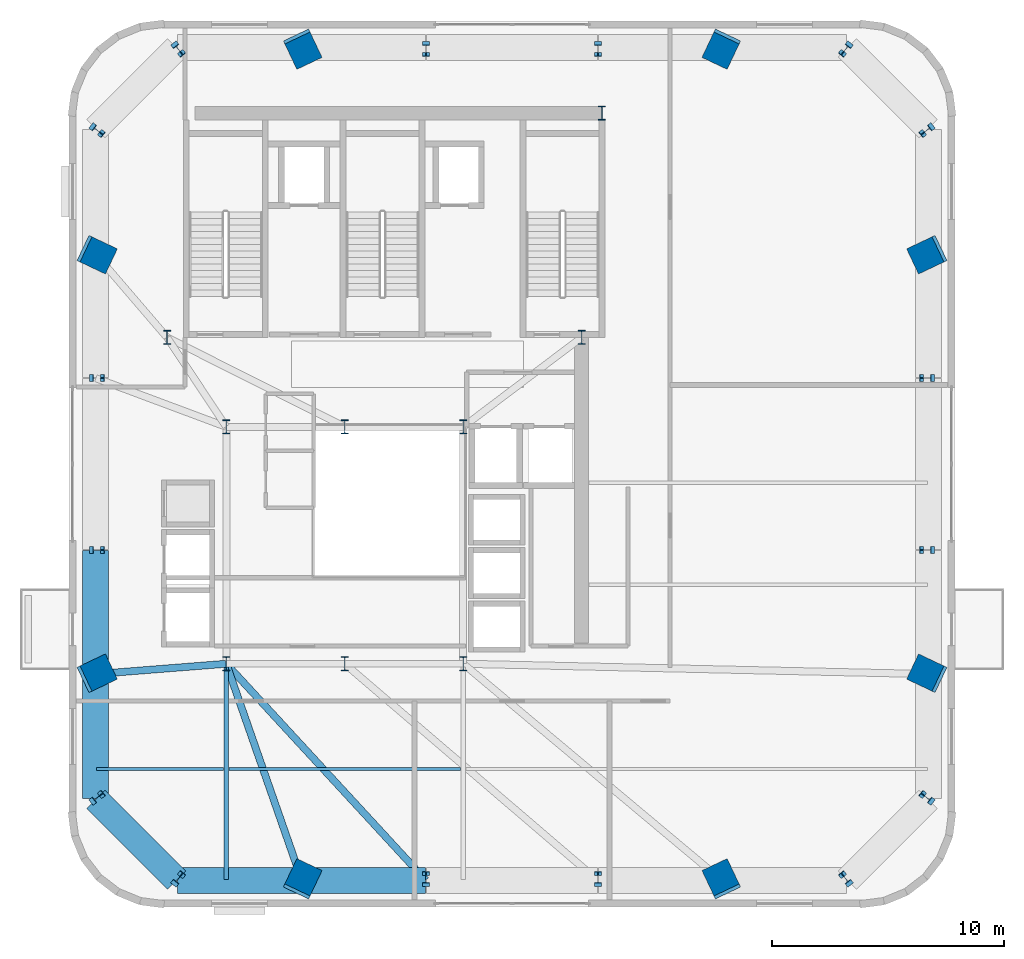
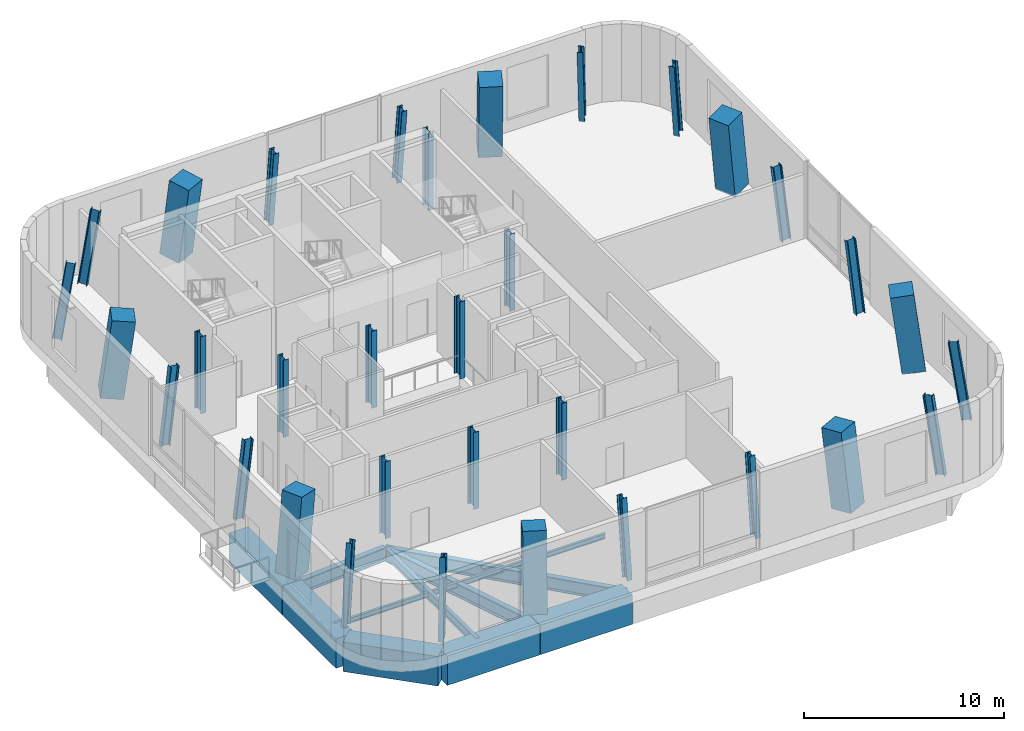
# One storey, part 1 of 11: 33 columns, 11 beams.
"""IFC4 building model written with IfcOpenShell, lengths in metres."""

from ifc_helpers import new_model, si_unit, direction, frame, origin, origin_2d, place, context, subcontext, project, spatial, rectangle, i_section, extrude, source, transform, mapped, material, material_profile, profile_set, type_object, element, save


model = new_model("IFC4")

# Units and contexts
model_context = context("Model", 3, precision=1e-05, world=origin(), true_north=direction((0.0, 1.0)))
body_context = subcontext(model_context, "Body", "Model", "MODEL_VIEW")
ifc_project = project(units=[si_unit("LENGTHUNIT", "METRE"), si_unit("AREAUNIT", "SQUARE_METRE"), si_unit("VOLUMEUNIT", "CUBIC_METRE"), si_unit("PLANEANGLEUNIT", "RADIAN"), si_unit("MASSUNIT", "GRAM", prefix="KILO")], contexts=[model_context])

# Site, building, storey
site_placement = place(None, origin())
site = spatial("IfcSite", under=ifc_project, at=site_placement, CompositionType="ELEMENT")
building_placement = place(site_placement, origin())
building = spatial("IfcBuilding", under=site, at=building_placement, Name="Vardaveli Station Tower", CompositionType="ELEMENT")
storey_placement = place(building_placement, frame((0.0, 0.0, 286.14990234375)))
storey = spatial("IfcBuildingStorey", under=building, at=storey_placement, Name="L73", CompositionType="ELEMENT", Elevation=286.14990234375)

# Columns
ifc_material_1 = material(Name="Structural steel S460M", Category="steel")
ifc_material_profile_1 = material_profile(ifc_material_1, i_section(OverallWidth=0.300048828125, OverallDepth=0.60009765625, WebThickness=0.015380859375, FlangeThickness=0.030029296875, FilletRadius=0.027099609375, at=origin_2d()), Name="HEB 600")
ifc_profile_set_1 = profile_set([ifc_material_profile_1], Name="Structural steel S460M")
column_type_1 = type_object("IfcColumnType", Name="COL-HEB600", PredefinedType="COLUMN", material=ifc_profile_set_1)
shared_shape_1 = source(origin(), body_context, "Body", "SweptSolid", [
    extrude(i_section(OverallWidth=0.300048828125, OverallDepth=0.60009765625, WebThickness=0.015380859375, FlangeThickness=0.030029296875, FilletRadius=0.027099609375, at=origin_2d()), origin(), (0.0, 0.0, 1.0), 4.7001953125),
])
for number, where, z_axis, x_axis, name in (
    (1, (31.199951171875, 16.60009765625, 0.0), (0.0, 0.0, 1.0), (1.0, 0.0, 0.0), "COL-L73-AC1"),
    (2, (36.300048828125, 16.60009765625, 0.0), (0.0, 0.0, 1.0), (1.0, 0.0, 0.0), "COL-L73-AC2"),
    (3, (41.39990234375, 16.60009765625, 0.0), (0.0, 0.0, 1.0), (1.0, 0.0, 0.0), "COL-L73-AC3"),
    (4, (41.39990234375, 26.800048828125, 0.0), (0.0, 0.0, 1.0), (1.0, 0.0, 0.0), "COL-L73-AC4"),
    (5, (36.300048828125, 26.800048828125, 0.0), (0.0, 0.0, 1.0), (1.0, 0.0, 0.0), "COL-L73-AC5"),
    (6, (31.199951171875, 26.800048828125, 0.0), (0.0, 0.0, 1.0), (1.0, 0.0, 0.0), "COL-L73-AC6"),
    (7, (28.64990234375, 30.64990234375, 0.0), (0.0, 0.0, 1.0), (1.0, 0.0, 0.0), "COL-L73-CC1"),
    (8, (46.5, 30.64990234375, 0.0), (0.0, 0.0, 1.0), (1.0, 0.0, 0.0), "COL-L73-CC2"),
    (9, (47.3701171875, 40.300048828125, 0.0), (0.0, 0.0, 1.0), (1.0, 0.0, 0.0), "COL-L73-CC3"),
):
    element("IfcColumn", number, at=place(storey_placement, frame(where, z_axis=z_axis, x_axis=x_axis)), inside=storey, type_object=column_type_1, Name=name, PredefinedType="COLUMN", context=body_context, shape_type="MappedRepresentation", body=[
        mapped(shared_shape_1, transform((0.0, 0.0, 0.0), scale=1.0)),
    ])
ifc_material_2 = material(Name="Concrete C50/60", Category="concrete")
ifc_material_profile_2 = material_profile(ifc_material_2, rectangle(XDim=1.199951171875, YDim=1.199951171875, at=origin_2d()), Name="MC 1200x1200")
ifc_profile_set_2 = profile_set([ifc_material_profile_2], Name="Concrete C50/60")
column_type_2 = type_object("IfcColumnType", Name="COL-MC-1200", PredefinedType="COLUMN", material=ifc_profile_set_2)
shared_shape_2 = source(origin(), body_context, "Body", "SweptSolid", [
    extrude(rectangle(XDim=1.199951171875, YDim=1.199951171875, at=origin_2d()), origin(), (0.0, 0.0, 1.0), 4.738037109375),
])
for number, where, z_axis, x_axis, name in (
    (10, (34.456298828125, 7.27001953125, 0.0), (0.053949820104, 0.113979944671, 0.992017131467), (-0.90386260457, 0.427822851259, 0.0), "COL-L73-MC1"),
    (11, (52.543701171875, 7.27001953125, 0.0), (-0.053949820104, 0.113979944671, 0.992017131467), (-0.90386260457, -0.427822851259, 0.0), "COL-L73-MC2"),
    (12, (61.429931640625, 16.15625, 0.0), (-0.113979944671, 0.053949820104, 0.992017131467), (-0.427822851259, -0.90386260457, 0.0), "COL-L73-MC3"),
    (13, (61.429931640625, 34.243896484375, 0.0), (-0.113979944671, -0.053949820104, 0.992017131467), (0.427822851259, -0.90386260457, 0.0), "COL-L73-MC4"),
    (14, (52.543701171875, 43.1298828125, 0.0), (-0.053950136891, -0.113929085641, 0.992022956475), (0.903787772821, -0.427980912774, 0.0), "COL-L73-MC5"),
    (15, (34.456298828125, 43.1298828125, 0.0), (0.053950136891, -0.113929085641, 0.992022956475), (0.903787772821, 0.427980912774, 0.0), "COL-L73-MC6"),
    (16, (25.570068359375, 34.243896484375, 0.0), (0.113979944671, -0.053949820104, 0.992017131467), (0.427822851259, 0.90386260457, 0.0), "COL-L73-MC7"),
    (17, (25.570068359375, 16.15625, 0.0), (0.113979944671, 0.053949820104, 0.992017131467), (-0.427822851259, 0.90386260457, 0.0), "COL-L73-MC8"),
):
    element("IfcColumn", number, at=place(storey_placement, frame(where, z_axis=z_axis, x_axis=x_axis)), inside=storey, type_object=column_type_2, Name=name, PredefinedType="COLUMN", context=body_context, shape_type="MappedRepresentation", body=[
        mapped(shared_shape_2, transform((0.0, 0.0, 0.0), scale=1.0)),
    ])
ifc_material_3 = material(Name="Structural steel S355J2", Category="steel")
ifc_material_profile_3 = material_profile(ifc_material_3, i_section(OverallWidth=0.300048828125, OverallDepth=0.5, WebThickness=0.014404296875, FlangeThickness=0.028076171875, FilletRadius=0.027099609375, at=origin_2d()), Name="HEB 500")
ifc_profile_set_3 = profile_set([ifc_material_profile_3], Name="Structural steel S355J2")
column_type_3 = type_object("IfcColumnType", Name="COL-HEB500", PredefinedType="COLUMN", material=ifc_profile_set_3)
shared_shape_3 = source(origin(), body_context, "Body", "SweptSolid", [
    extrude(i_section(OverallWidth=0.300048828125, OverallDepth=0.5, WebThickness=0.014404296875, FlangeThickness=0.028076171875, FilletRadius=0.027099609375, at=origin_2d()), origin(), (0.0, 0.0, 1.0), 4.750244140625),
])
for number, where, z_axis, x_axis, name in (
    (18, (29.076904296875, 7.27001953125, 0.0), (0.089684635479, 0.113686196951, 0.98946051704), (-0.785109845133, 0.619356546002, 0.0), "COL-L73-PC01"),
    (19, (57.923095703125, 7.27001953125, 0.0), (-0.089684635479, 0.113686196951, 0.98946051704), (-0.785109845133, -0.619356546002, 0.0), "COL-L73-PC04"),
    (20, (61.429931640625, 10.777099609375, 0.0), (-0.113686720825, 0.089633653308, 0.989465076545), (-0.619137694589, -0.785282442908, 0.0), "COL-L73-PC05"),
    (21, (61.429931640625, 39.623046875, 0.0), (-0.113686196951, -0.089684635479, 0.98946051704), (0.619356546002, -0.785109845133, 0.0), "COL-L73-PC08"),
    (22, (57.923095703125, 43.1298828125, 0.0), (-0.089685159385, -0.113635465559, 0.989466297128), (0.784973635345, -0.619529169461, 0.0), "COL-L73-PC09"),
    (23, (29.076904296875, 43.1298828125, 0.0), (0.089685159385, -0.113635465559, 0.989466297128), (0.784973635345, 0.619529169461, 0.0), "COL-L73-PC12"),
    (24, (25.570068359375, 39.623046875, 0.0), (0.113686196951, -0.089684635479, 0.98946051704), (0.619356546002, 0.785109845133, 0.0), "COL-L73-PC13"),
    (25, (25.570068359375, 10.777099609375, 0.0), (0.113686720825, 0.089633653308, 0.989465076545), (-0.619137694589, 0.785282442908, 0.0), "COL-L73-PC16"),
):
    element("IfcColumn", number, at=place(storey_placement, frame(where, z_axis=z_axis, x_axis=x_axis)), inside=storey, type_object=column_type_3, Name=name, PredefinedType="COLUMN", context=body_context, shape_type="MappedRepresentation", body=[
        mapped(shared_shape_3, transform((0.0, 0.0, 0.0), scale=1.0)),
    ])
shared_shape_4 = source(origin(), body_context, "Body", "SweptSolid", [
    extrude(i_section(OverallWidth=0.300048828125, OverallDepth=0.5, WebThickness=0.014404296875, FlangeThickness=0.028076171875, FilletRadius=0.027099609375, at=origin_2d()), origin(), (0.0, 0.0, 1.0), 4.731201171875),
])
for number, where, z_axis, x_axis, name in (
    (26, (39.800048828125, 7.27001953125, 0.0), (0.0, 0.114146181694, 0.993463964724), (-1.0, 0.0, 0.0), "COL-L73-PC02"),
    (27, (47.199951171875, 7.27001953125, 0.0), (0.0, 0.114146181694, 0.993463964724), (-1.0, 0.0, 0.0), "COL-L73-PC03"),
    (28, (61.429931640625, 21.5, 0.0), (-0.114146181694, 0.0, 0.993463964724), (0.0, -1.0, 0.0), "COL-L73-PC06"),
    (29, (61.429931640625, 28.89990234375, 0.0), (-0.114146181694, 0.0, 0.993463964724), (0.0, -1.0, 0.0), "COL-L73-PC07"),
    (30, (47.199951171875, 43.1298828125, 0.0), (0.0, -0.114095250443, 0.993469815257), (1.0, 0.0, 0.0), "COL-L73-PC10"),
    (31, (39.800048828125, 43.1298828125, 0.0), (0.0, -0.114095250443, 0.993469815257), (1.0, 0.0, 0.0), "COL-L73-PC11"),
    (32, (25.570068359375, 28.89990234375, 0.0), (0.114146181694, 0.0, 0.993463964724), (0.0, 1.0, 0.0), "COL-L73-PC14"),
    (33, (25.570068359375, 21.5, 0.0), (0.114146181694, 0.0, 0.993463964724), (0.0, 1.0, 0.0), "COL-L73-PC15"),
):
    element("IfcColumn", number, at=place(storey_placement, frame(where, z_axis=z_axis, x_axis=x_axis)), inside=storey, type_object=column_type_3, Name=name, PredefinedType="COLUMN", context=body_context, shape_type="MappedRepresentation", body=[
        mapped(shared_shape_4, transform((0.0, 0.0, 0.0), scale=1.0)),
    ])

# Beams
ifc_material_profile_4 = material_profile(ifc_material_3, i_section(OverallWidth=0.14990234375, OverallDepth=0.300048828125, WebThickness=0.007080078125, FlangeThickness=0.0107421875, FilletRadius=0.014892578125, at=origin_2d()), Name="IPE 300")
ifc_profile_set_4 = profile_set([ifc_material_profile_4], Name="Structural steel S355J2")
beam_type_1 = type_object("IfcBeamType", Name="BM-IPE300", PredefinedType="JOIST", material=ifc_profile_set_4)
shared_shape_5 = source(origin(), body_context, "Body", "SweptSolid", [
    extrude(i_section(OverallWidth=0.14990234375, OverallDepth=0.300048828125, WebThickness=0.007080078125, FlangeThickness=0.0107421875, FilletRadius=0.014892578125, at=origin_2d()), origin(), (0.0, 0.0, 1.0), 9.97607421875),
])
beam_1_placement = place(storey_placement, frame((31.31201171875, 12.070068359375, -0.7998046875), z_axis=(1.0, 0.0, 0.0), x_axis=(0.0, 1.0, 0.0)))
element("IfcBeam", 34, at=beam_1_placement, inside=storey, type_object=beam_type_1, Name="SJ-L73-S02", PredefinedType="JOIST", context=body_context, shape_type="MappedRepresentation", body=[
    mapped(shared_shape_5, transform((0.0, 0.0, 0.0), scale=1.0)),
])
ifc_material_4 = material(Name="Concrete C60/75", Category="concrete")
ifc_material_profile_5 = material_profile(ifc_material_4, rectangle(XDim=1.10009765625, YDim=1.800048828125, at=origin_2d()), Name="TG 1100x1800")
ifc_profile_set_5 = profile_set([ifc_material_profile_5], Name="Concrete C60/75")
beam_type_2 = type_object("IfcBeamType", Name="BM-TG-1800", PredefinedType="BEAM", material=ifc_profile_set_5)
shared_shape_6 = source(origin(), body_context, "Body", "SweptSolid", [
    extrude(rectangle(XDim=1.10009765625, YDim=1.800048828125, at=origin_2d()), origin(), (0.0, 0.0, 1.0), 5.3037109375),
])
for number, where, z_axis, x_axis, name in (
    (35, (34.476318359375, 7.27001953125, -1.5498046875), (1.0, 0.0, 0.0), (0.0, 1.0, 0.0), "RBM-L73-01"),
    (36, (25.570068359375, 21.47998046875, -1.5498046875), (0.0, -1.0, 0.0), (1.0, 0.0, 0.0), "RBM-L73-21"),
):
    element("IfcBeam", number, at=place(storey_placement, frame(where, z_axis=z_axis, x_axis=x_axis)), inside=storey, type_object=beam_type_2, Name=name, PredefinedType="BEAM", context=body_context, shape_type="MappedRepresentation", body=[
        mapped(shared_shape_6, transform((0.0, 0.0, 0.0), scale=1.0)),
    ])
shared_shape_7 = source(origin(), body_context, "Body", "SweptSolid", [
    extrude(rectangle(XDim=1.10009765625, YDim=1.800048828125, at=origin_2d()), origin(), (0.0, 0.0, 1.0), 5.33935546875),
])
beam_2_placement = place(storey_placement, frame((29.096923828125, 7.27001953125, -1.5498046875), z_axis=(1.0, 0.0, 0.0), x_axis=(0.0, 1.0, 0.0)))
element("IfcBeam", 37, at=beam_2_placement, inside=storey, type_object=beam_type_2, Name="RBM-L73-24", PredefinedType="BEAM", context=body_context, shape_type="MappedRepresentation", body=[
    mapped(shared_shape_7, transform((0.0, 0.0, 0.0), scale=1.0)),
])
shared_shape_8 = source(origin(), body_context, "Body", "SweptSolid", [
    extrude(rectangle(XDim=1.10009765625, YDim=1.800048828125, at=origin_2d()), origin(), (0.0, 0.0, 1.0), 4.91943359375),
])
beam_3_placement = place(storey_placement, frame((25.584228515625, 10.762939453125, -1.5498046875), z_axis=(0.707081967375, -0.707131594127, 0.0), x_axis=(0.707131594127, 0.707081967375, 0.0)))
element("IfcBeam", 38, at=beam_3_placement, inside=storey, type_object=beam_type_2, Name="RBM-L73-23", PredefinedType="BEAM", context=body_context, shape_type="MappedRepresentation", body=[
    mapped(shared_shape_8, transform((0.0, 0.0, 0.0), scale=1.0)),
])
shared_shape_9 = source(origin(), body_context, "Body", "SweptSolid", [
    extrude(rectangle(XDim=1.10009765625, YDim=1.800048828125, at=origin_2d()), origin(), (0.0, 0.0, 1.0), 5.339111328125),
])
beam_4_placement = place(storey_placement, frame((25.570068359375, 16.13623046875, -1.5498046875), z_axis=(0.0, -1.0, 0.0), x_axis=(1.0, 0.0, 0.0)))
element("IfcBeam", 39, at=beam_4_placement, inside=storey, type_object=beam_type_2, Name="RBM-L73-22", PredefinedType="BEAM", context=body_context, shape_type="MappedRepresentation", body=[
    mapped(shared_shape_9, transform((0.0, 0.0, 0.0), scale=1.0)),
])
ifc_material_profile_6 = material_profile(ifc_material_1, i_section(OverallWidth=0.305908203125, OverallDepth=0.81396484375, WebThickness=0.02099609375, FlangeThickness=0.0400390625, FilletRadius=0.027099609375, at=origin_2d()), Name="HEM 800")
ifc_profile_set_6 = profile_set([ifc_material_profile_6], Name="Structural steel S460M")
beam_type_3 = type_object("IfcBeamType", Name="BM-HEM800", PredefinedType="BEAM", material=ifc_profile_set_6)
shared_shape_10 = source(origin(), body_context, "Body", "SweptSolid", [
    extrude(i_section(OverallWidth=0.305908203125, OverallDepth=0.81396484375, WebThickness=0.02099609375, FlangeThickness=0.0400390625, FilletRadius=0.027099609375, at=origin_2d()), origin(), (0.0, 0.0, 1.0), 9.842041015625),
])
beam_5_placement = place(storey_placement, frame((34.44970703125, 7.288818359375, -1.056884765625), z_axis=(-0.329524900005, 0.944146884906, 0.0), x_axis=(-0.944146884906, -0.329524900005, 0.0)))
element("IfcBeam", 40, at=beam_5_placement, inside=storey, type_object=beam_type_3, Name="GBM-L73-01", PredefinedType="BEAM", context=body_context, shape_type="MappedRepresentation", body=[
    mapped(shared_shape_10, transform((0.0, 0.0, 0.0), scale=1.0)),
])
shared_shape_11 = source(origin(), body_context, "Body", "SweptSolid", [
    extrude(i_section(OverallWidth=0.305908203125, OverallDepth=0.81396484375, WebThickness=0.02099609375, FlangeThickness=0.0400390625, FilletRadius=0.027099609375, at=origin_2d()), origin(), (0.0, 0.0, 1.0), 12.648681640625),
])
beam_6_placement = place(storey_placement, frame((39.786376953125, 7.28466796875, -1.056884765625), z_axis=(-0.677752436189, 0.735290170776, 0.0), x_axis=(-0.735290170776, -0.677752436189, 0.0)))
element("IfcBeam", 41, at=beam_6_placement, inside=storey, type_object=beam_type_3, Name="GBM-L73-02", PredefinedType="BEAM", context=body_context, shape_type="MappedRepresentation", body=[
    mapped(shared_shape_11, transform((0.0, 0.0, 0.0), scale=1.0)),
])
shared_shape_12 = source(origin(), body_context, "Body", "SweptSolid", [
    extrude(i_section(OverallWidth=0.305908203125, OverallDepth=0.81396484375, WebThickness=0.02099609375, FlangeThickness=0.0400390625, FilletRadius=0.027099609375, at=origin_2d()), origin(), (0.0, 0.0, 1.0), 5.607666015625),
])
beam_7_placement = place(storey_placement, frame((25.58984375, 16.15771484375, -1.056884765625), z_axis=(0.996907490214, 0.078584069344, 0.0), x_axis=(-0.078584069344, 0.996907490214, 0.0)))
element("IfcBeam", 42, at=beam_7_placement, inside=storey, type_object=beam_type_3, Name="GBM-L73-10", PredefinedType="BEAM", context=body_context, shape_type="MappedRepresentation", body=[
    mapped(shared_shape_12, transform((0.0, 0.0, 0.0), scale=1.0)),
])
ifc_material_profile_7 = material_profile(ifc_material_3, i_section(OverallWidth=0.2099609375, OverallDepth=0.550048828125, WebThickness=0.010986328125, FlangeThickness=0.01708984375, FilletRadius=0.02392578125, at=origin_2d()), Name="IPE 550")
ifc_profile_set_7 = profile_set([ifc_material_profile_7], Name="Structural steel S355J2")
beam_type_4 = type_object("IfcBeamType", Name="BM-IPE550", PredefinedType="BEAM", material=ifc_profile_set_7)
shared_shape_13 = source(origin(), body_context, "Body", "SweptSolid", [
    extrude(i_section(OverallWidth=0.2099609375, OverallDepth=0.550048828125, WebThickness=0.010986328125, FlangeThickness=0.01708984375, FilletRadius=0.02392578125, at=origin_2d()), origin(), (0.0, 0.0, 1.0), 9.14990234375),
])
beam_8_placement = place(storey_placement, frame((31.199951171875, 7.31005859375, -0.9248046875), z_axis=(0.0, 1.0, 0.0), x_axis=(-1.0, 0.0, 0.0)))
element("IfcBeam", 43, at=beam_8_placement, inside=storey, type_object=beam_type_4, Name="NSM-L73-S1", PredefinedType="BEAM", context=body_context, shape_type="MappedRepresentation", body=[
    mapped(shared_shape_13, transform((0.0, 0.0, 0.0), scale=1.0)),
])
shared_shape_14 = source(origin(), body_context, "Body", "SweptSolid", [
    extrude(i_section(OverallWidth=0.14990234375, OverallDepth=0.300048828125, WebThickness=0.007080078125, FlangeThickness=0.0107421875, FilletRadius=0.014892578125, at=origin_2d()), origin(), (0.0, 0.0, 1.0), 5.477783203125),
])
beam_9_placement = place(storey_placement, frame((25.610107421875, 12.070068359375, -0.7998046875), z_axis=(1.0, 0.0, 0.0), x_axis=(0.0, 1.0, 0.0)))
element("IfcBeam", 44, at=beam_9_placement, inside=storey, type_object=beam_type_1, Name="SJ-L73-S01", PredefinedType="JOIST", context=body_context, shape_type="MappedRepresentation", body=[
    mapped(shared_shape_14, transform((0.0, 0.0, 0.0), scale=1.0)),
])

save(model, "model.ifc")
